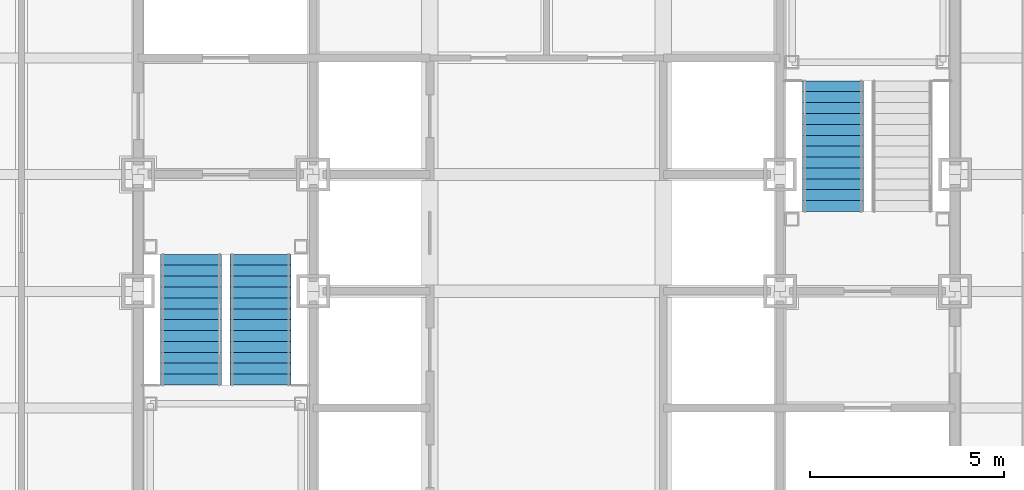
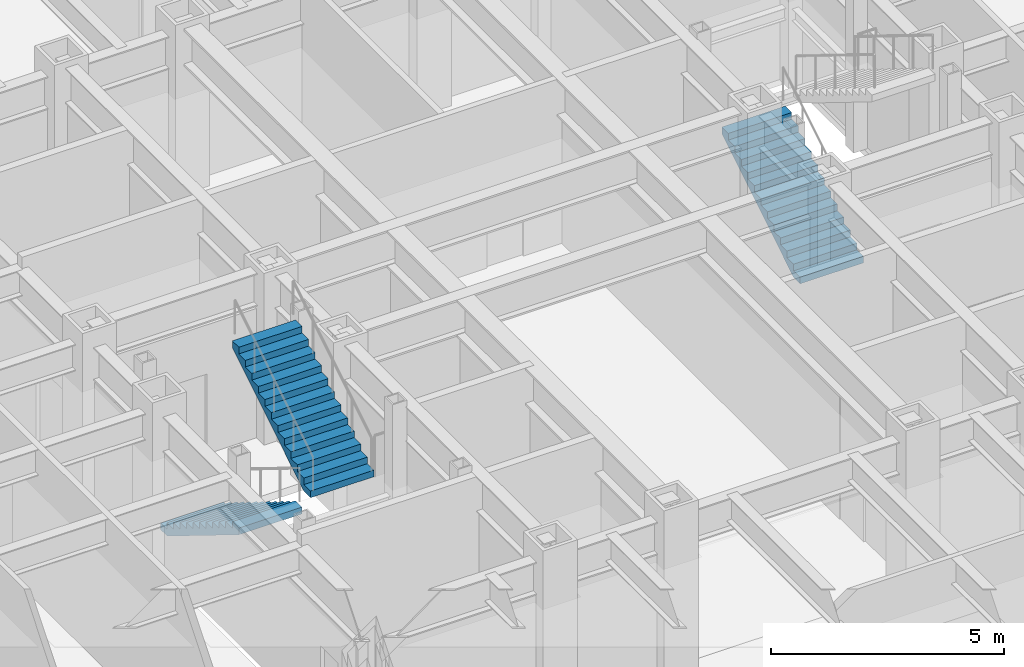
# One storey, part 12 of 17: 3 stair flights, 2 elements without a shape of their own.
"""IFC4 building model written with IfcOpenShell, lengths in metres."""

from ifc_helpers import new_model, si_unit, direction, frame, origin, place, context, subcontext, project, spatial, faceted_brep, material, type_object, element, aggregate, save


model = new_model("IFC4")

# Units and contexts
model_context = context("Model", 3, precision=1e-05, world=origin(), true_north=direction((0.0, 1.0)))
body_context = subcontext(model_context, "Body", "Model", "MODEL_VIEW")
ifc_project = project(units=[si_unit("LENGTHUNIT", "METRE"), si_unit("AREAUNIT", "SQUARE_METRE"), si_unit("VOLUMEUNIT", "CUBIC_METRE"), si_unit("PLANEANGLEUNIT", "RADIAN"), si_unit("MASSUNIT", "GRAM", prefix="KILO")], contexts=[model_context])

# Site, building, storey
site_placement = place(None, origin())
site = spatial("IfcSite", under=ifc_project, at=site_placement, CompositionType="ELEMENT")
building_placement = place(site_placement, origin())
building = spatial("IfcBuilding", under=site, at=building_placement, Name="Chuquiago Exchange Tower", CompositionType="ELEMENT")
storey_placement = place(building_placement, frame((0.0, 0.0, 87.300048828125)))
storey = spatial("IfcBuildingStorey", under=building, at=storey_placement, Name="L18", CompositionType="ELEMENT", Elevation=87.300048828125)

# Stair, stair flights
ifc_material_1 = material(Name="Concrete C30/37, precast", Category="concrete")
stair_type_1 = type_object("IfcStairType", Name="ST1 half-turn stair 4500", PredefinedType="HALF_TURN_STAIR", material=ifc_material_1)
stair_1_placement = place(storey_placement, origin())
stair_1 = element("IfcStair", 1, at=stair_1_placement, inside=storey, type_object=stair_type_1, Name="Stair ST1 L18", PredefinedType="HALF_TURN_STAIR")
ifc_material_2 = material(Name="Concrete C30/37, precast", Category="concrete")
stair_flight_type = type_object("IfcStairFlightType", Name="ST-F flight 1570 for 4500 storey", PredefinedType="STRAIGHT", material=ifc_material_2)
stair_flight_1_placement = place(storey_placement, frame((13.360107421875, 21.949951171875, 0.0), z_axis=(0.0, 0.0, 1.0), x_axis=(0.0, -1.0, 0.0)))
stair_flight_1 = element("IfcStairFlight", 2, at=stair_flight_1_placement, type_object=stair_flight_type, Name="ST1 flight 1", NumberOfRisers=13, NumberOfTreads=12, PredefinedType="STRAIGHT", RiserHeight=0.173076923, TreadLength=0.28, context=body_context, shape_type="Brep", body=[
    faceted_brep([(0.0, 0.78515625, 0.0), (0.0, 0.78515625, 0.173095703125), (0.280029296875, 0.78515625, 0.173095703125), (0.280029296875, 0.78515625, 0.34619140625), (0.56005859375, 0.78515625, 0.34619140625), (0.56005859375, 0.78515625, 0.519287109375), (0.840087890625, 0.78515625, 0.519287109375), (0.840087890625, 0.78515625, 0.6923828125), (1.1201171875, 0.78515625, 0.6923828125), (1.1201171875, 0.78515625, 0.865478515625), (1.39990234375, 0.78515625, 0.865478515625), (1.39990234375, 0.78515625, 1.03857421875), (1.679931640625, 0.78515625, 1.03857421875), (1.679931640625, 0.78515625, 1.21142578125), (1.9599609375, 0.78515625, 1.21142578125), (1.9599609375, 0.78515625, 1.384521484375), (2.239990234375, 0.78515625, 1.384521484375), (2.239990234375, 0.78515625, 1.5576171875), (2.52001953125, 0.78515625, 1.5576171875), (2.52001953125, 0.78515625, 1.730712890625), (2.800048828125, 0.78515625, 1.730712890625), (2.800048828125, 0.78515625, 1.90380859375), (3.080078125, 0.78515625, 1.90380859375), (3.080078125, 0.78515625, 2.076904296875), (3.360107421875, 0.78515625, 2.076904296875), (3.360107421875, 0.78515625, 1.900634765625), (0.28515625, 0.78515625, 0.0), (0.28515625, -0.78515625, 0.0), (3.360107421875, -0.78515625, 1.900634765625), (3.360107421875, -0.78515625, 2.076904296875), (3.080078125, -0.78515625, 2.076904296875), (3.080078125, -0.78515625, 1.90380859375), (2.800048828125, -0.78515625, 1.90380859375), (2.800048828125, -0.78515625, 1.730712890625), (2.52001953125, -0.78515625, 1.730712890625), (2.52001953125, -0.78515625, 1.5576171875), (2.239990234375, -0.78515625, 1.5576171875), (2.239990234375, -0.78515625, 1.384521484375), (1.9599609375, -0.78515625, 1.384521484375), (1.9599609375, -0.78515625, 1.21142578125), (1.679931640625, -0.78515625, 1.21142578125), (1.679931640625, -0.78515625, 1.03857421875), (1.39990234375, -0.78515625, 1.03857421875), (1.39990234375, -0.78515625, 0.865478515625), (1.1201171875, -0.78515625, 0.865478515625), (1.1201171875, -0.78515625, 0.6923828125), (0.840087890625, -0.78515625, 0.6923828125), (0.840087890625, -0.78515625, 0.519287109375), (0.56005859375, -0.78515625, 0.519287109375), (0.56005859375, -0.78515625, 0.34619140625), (0.280029296875, -0.78515625, 0.34619140625), (0.280029296875, -0.78515625, 0.173095703125), (0.0, -0.78515625, 0.173095703125), (0.0, -0.78515625, 0.0), (0.0, 0.392578125, 0.0), (0.0, 0.392578125, 0.173095703125), (0.0, 0.0, 0.0), (0.0, 0.0, 0.173095703125), (0.0, -0.392578125, 0.0), (0.0, -0.392578125, 0.173095703125), (0.280029296875, 0.392578125, 0.173095703125), (0.280029296875, 0.0, 0.173095703125), (0.280029296875, -0.392578125, 0.173095703125), (0.280029296875, 0.392578125, 0.34619140625), (0.280029296875, 0.0, 0.34619140625), (0.280029296875, -0.392578125, 0.34619140625), (0.56005859375, 0.392578125, 0.34619140625), (0.56005859375, 0.0, 0.34619140625), (0.56005859375, -0.392578125, 0.34619140625), (0.56005859375, 0.392578125, 0.519287109375), (0.56005859375, 0.0, 0.519287109375), (0.56005859375, -0.392578125, 0.519287109375), (0.840087890625, 0.392578125, 0.519287109375), (0.840087890625, 0.0, 0.519287109375), (0.840087890625, -0.392578125, 0.519287109375), (0.840087890625, 0.392578125, 0.6923828125), (0.840087890625, 0.0, 0.6923828125), (0.840087890625, -0.392578125, 0.6923828125), (1.1201171875, 0.392578125, 0.6923828125), (1.1201171875, 0.0, 0.6923828125), (1.1201171875, -0.392578125, 0.6923828125), (1.1201171875, 0.392578125, 0.865478515625), (1.1201171875, 0.0, 0.865478515625), (1.1201171875, -0.392578125, 0.865478515625), (1.39990234375, 0.392578125, 0.865478515625), (1.39990234375, 0.0, 0.865478515625), (1.39990234375, -0.392578125, 0.865478515625), (1.39990234375, 0.392578125, 1.03857421875), (1.39990234375, 0.0, 1.03857421875), (1.39990234375, -0.392578125, 1.03857421875), (1.679931640625, 0.392578125, 1.03857421875), (1.679931640625, 0.0, 1.03857421875), (1.679931640625, -0.392578125, 1.03857421875), (1.679931640625, 0.392578125, 1.21142578125), (1.679931640625, 0.0, 1.21142578125), (1.679931640625, -0.392578125, 1.21142578125), (1.9599609375, 0.392578125, 1.21142578125), (1.9599609375, 0.0, 1.21142578125), (1.9599609375, -0.392578125, 1.21142578125), (1.9599609375, 0.392578125, 1.384521484375), (1.9599609375, 0.0, 1.384521484375), (1.9599609375, -0.392578125, 1.384521484375), (2.239990234375, 0.392578125, 1.384521484375), (2.239990234375, 0.0, 1.384521484375), (2.239990234375, -0.392578125, 1.384521484375), (2.239990234375, 0.392578125, 1.5576171875), (2.239990234375, 0.0, 1.5576171875), (2.239990234375, -0.392578125, 1.5576171875), (2.52001953125, 0.392578125, 1.5576171875), (2.52001953125, 0.0, 1.5576171875), (2.52001953125, -0.392578125, 1.5576171875), (2.52001953125, 0.392578125, 1.730712890625), (2.52001953125, 0.0, 1.730712890625), (2.52001953125, -0.392578125, 1.730712890625), (2.800048828125, 0.392578125, 1.730712890625), (2.800048828125, 0.0, 1.730712890625), (2.800048828125, -0.392578125, 1.730712890625), (2.800048828125, 0.392578125, 1.90380859375), (2.800048828125, 0.0, 1.90380859375), (2.800048828125, -0.392578125, 1.90380859375), (3.080078125, 0.392578125, 1.90380859375), (3.080078125, 0.0, 1.90380859375), (3.080078125, -0.392578125, 1.90380859375), (3.080078125, 0.392578125, 2.076904296875), (3.080078125, 0.0, 2.076904296875), (3.080078125, -0.392578125, 2.076904296875), (3.360107421875, 0.392578125, 2.076904296875), (3.360107421875, 0.0, 2.076904296875), (3.360107421875, -0.392578125, 2.076904296875), (3.360107421875, 0.392578125, 1.900634765625), (3.360107421875, 0.0, 1.900634765625), (3.360107421875, -0.392578125, 1.900634765625), (0.28515625, 0.392578125, 0.0), (0.28515625, 0.0, 0.0), (0.28515625, -0.392578125, 0.0)], [[[0, 1, 2, 3, 4, 5, 6, 7, 8, 9, 10, 11, 12, 13, 14, 15, 16, 17, 18, 19, 20, 21, 22, 23, 24, 25, 26]], [[27, 28, 29, 30, 31, 32, 33, 34, 35, 36, 37, 38, 39, 40, 41, 42, 43, 44, 45, 46, 47, 48, 49, 50, 51, 52, 53]], [[1, 0, 54, 55]], [[55, 54, 56, 57]], [[57, 56, 58, 59]], [[59, 58, 53, 52]], [[2, 1, 55, 60]], [[60, 55, 57, 61]], [[61, 57, 59, 62]], [[62, 59, 52, 51]], [[3, 2, 60, 63]], [[63, 60, 61, 64]], [[64, 61, 62, 65]], [[65, 62, 51, 50]], [[4, 3, 63, 66]], [[66, 63, 64, 67]], [[67, 64, 65, 68]], [[68, 65, 50, 49]], [[5, 4, 66, 69]], [[69, 66, 67, 70]], [[70, 67, 68, 71]], [[71, 68, 49, 48]], [[6, 5, 69, 72]], [[72, 69, 70, 73]], [[73, 70, 71, 74]], [[74, 71, 48, 47]], [[7, 6, 72, 75]], [[75, 72, 73, 76]], [[76, 73, 74, 77]], [[77, 74, 47, 46]], [[8, 7, 75, 78]], [[78, 75, 76, 79]], [[79, 76, 77, 80]], [[80, 77, 46, 45]], [[9, 8, 78, 81]], [[81, 78, 79, 82]], [[82, 79, 80, 83]], [[83, 80, 45, 44]], [[10, 9, 81, 84]], [[84, 81, 82, 85]], [[85, 82, 83, 86]], [[86, 83, 44, 43]], [[11, 10, 84, 87]], [[87, 84, 85, 88]], [[88, 85, 86, 89]], [[89, 86, 43, 42]], [[12, 11, 87, 90]], [[90, 87, 88, 91]], [[91, 88, 89, 92]], [[92, 89, 42, 41]], [[13, 12, 90, 93]], [[93, 90, 91, 94]], [[94, 91, 92, 95]], [[95, 92, 41, 40]], [[14, 13, 93, 96]], [[96, 93, 94, 97]], [[97, 94, 95, 98]], [[98, 95, 40, 39]], [[15, 14, 96, 99]], [[99, 96, 97, 100]], [[100, 97, 98, 101]], [[101, 98, 39, 38]], [[16, 15, 99, 102]], [[102, 99, 100, 103]], [[103, 100, 101, 104]], [[104, 101, 38, 37]], [[17, 16, 102, 105]], [[105, 102, 103, 106]], [[106, 103, 104, 107]], [[107, 104, 37, 36]], [[18, 17, 105, 108]], [[108, 105, 106, 109]], [[109, 106, 107, 110]], [[110, 107, 36, 35]], [[19, 18, 108, 111]], [[111, 108, 109, 112]], [[112, 109, 110, 113]], [[113, 110, 35, 34]], [[20, 19, 111, 114]], [[114, 111, 112, 115]], [[115, 112, 113, 116]], [[116, 113, 34, 33]], [[21, 20, 114, 117]], [[117, 114, 115, 118]], [[118, 115, 116, 119]], [[119, 116, 33, 32]], [[22, 21, 117, 120]], [[120, 117, 118, 121]], [[121, 118, 119, 122]], [[122, 119, 32, 31]], [[23, 22, 120, 123]], [[123, 120, 121, 124]], [[124, 121, 122, 125]], [[125, 122, 31, 30]], [[24, 23, 123, 126]], [[126, 123, 124, 127]], [[127, 124, 125, 128]], [[128, 125, 30, 29]], [[25, 24, 126, 129]], [[129, 126, 127, 130]], [[130, 127, 128, 131]], [[131, 128, 29, 28]], [[26, 25, 129, 132]], [[132, 129, 130, 133]], [[133, 130, 131, 134]], [[134, 131, 28, 27]], [[0, 26, 132, 54]], [[54, 132, 133, 56]], [[56, 133, 134, 58]], [[58, 134, 27, 53]]]),
])
stair_flight_2_placement = place(storey_placement, frame((15.139892578125, 18.590087890625, 2.25), z_axis=(0.0, 0.0, 1.0), x_axis=(0.0, 1.0, 0.0)))
stair_flight_2 = element("IfcStairFlight", 3, at=stair_flight_2_placement, type_object=stair_flight_type, Name="ST1 flight 2", NumberOfRisers=13, NumberOfTreads=12, PredefinedType="STRAIGHT", RiserHeight=0.173076923, TreadLength=0.28, context=body_context, shape_type="Brep", body=[
    faceted_brep([(0.0, 0.78515625, 0.0), (0.0, 0.78515625, 0.173095703125), (0.280029296875, 0.78515625, 0.173095703125), (0.280029296875, 0.78515625, 0.34619140625), (0.56005859375, 0.78515625, 0.34619140625), (0.56005859375, 0.78515625, 0.519287109375), (0.840087890625, 0.78515625, 0.519287109375), (0.840087890625, 0.78515625, 0.6923828125), (1.1201171875, 0.78515625, 0.6923828125), (1.1201171875, 0.78515625, 0.865478515625), (1.39990234375, 0.78515625, 0.865478515625), (1.39990234375, 0.78515625, 1.03857421875), (1.679931640625, 0.78515625, 1.03857421875), (1.679931640625, 0.78515625, 1.21142578125), (1.9599609375, 0.78515625, 1.21142578125), (1.9599609375, 0.78515625, 1.384521484375), (2.239990234375, 0.78515625, 1.384521484375), (2.239990234375, 0.78515625, 1.5576171875), (2.52001953125, 0.78515625, 1.5576171875), (2.52001953125, 0.78515625, 1.730712890625), (2.800048828125, 0.78515625, 1.730712890625), (2.800048828125, 0.78515625, 1.90380859375), (3.080078125, 0.78515625, 1.90380859375), (3.080078125, 0.78515625, 2.076904296875), (3.360107421875, 0.78515625, 2.076904296875), (3.360107421875, 0.78515625, 1.900634765625), (0.28515625, 0.78515625, 0.0), (0.28515625, -0.78515625, 0.0), (3.360107421875, -0.78515625, 1.900634765625), (3.360107421875, -0.78515625, 2.076904296875), (3.080078125, -0.78515625, 2.076904296875), (3.080078125, -0.78515625, 1.90380859375), (2.800048828125, -0.78515625, 1.90380859375), (2.800048828125, -0.78515625, 1.730712890625), (2.52001953125, -0.78515625, 1.730712890625), (2.52001953125, -0.78515625, 1.5576171875), (2.239990234375, -0.78515625, 1.5576171875), (2.239990234375, -0.78515625, 1.384521484375), (1.9599609375, -0.78515625, 1.384521484375), (1.9599609375, -0.78515625, 1.21142578125), (1.679931640625, -0.78515625, 1.21142578125), (1.679931640625, -0.78515625, 1.03857421875), (1.39990234375, -0.78515625, 1.03857421875), (1.39990234375, -0.78515625, 0.865478515625), (1.1201171875, -0.78515625, 0.865478515625), (1.1201171875, -0.78515625, 0.6923828125), (0.840087890625, -0.78515625, 0.6923828125), (0.840087890625, -0.78515625, 0.519287109375), (0.56005859375, -0.78515625, 0.519287109375), (0.56005859375, -0.78515625, 0.34619140625), (0.280029296875, -0.78515625, 0.34619140625), (0.280029296875, -0.78515625, 0.173095703125), (0.0, -0.78515625, 0.173095703125), (0.0, -0.78515625, 0.0), (0.0, 0.392578125, 0.0), (0.0, 0.392578125, 0.173095703125), (0.0, 0.0, 0.0), (0.0, 0.0, 0.173095703125), (0.0, -0.392578125, 0.0), (0.0, -0.392578125, 0.173095703125), (0.280029296875, 0.392578125, 0.173095703125), (0.280029296875, 0.0, 0.173095703125), (0.280029296875, -0.392578125, 0.173095703125), (0.280029296875, 0.392578125, 0.34619140625), (0.280029296875, 0.0, 0.34619140625), (0.280029296875, -0.392578125, 0.34619140625), (0.56005859375, 0.392578125, 0.34619140625), (0.56005859375, 0.0, 0.34619140625), (0.56005859375, -0.392578125, 0.34619140625), (0.56005859375, 0.392578125, 0.519287109375), (0.56005859375, 0.0, 0.519287109375), (0.56005859375, -0.392578125, 0.519287109375), (0.840087890625, 0.392578125, 0.519287109375), (0.840087890625, 0.0, 0.519287109375), (0.840087890625, -0.392578125, 0.519287109375), (0.840087890625, 0.392578125, 0.6923828125), (0.840087890625, 0.0, 0.6923828125), (0.840087890625, -0.392578125, 0.6923828125), (1.1201171875, 0.392578125, 0.6923828125), (1.1201171875, 0.0, 0.6923828125), (1.1201171875, -0.392578125, 0.6923828125), (1.1201171875, 0.392578125, 0.865478515625), (1.1201171875, 0.0, 0.865478515625), (1.1201171875, -0.392578125, 0.865478515625), (1.39990234375, 0.392578125, 0.865478515625), (1.39990234375, 0.0, 0.865478515625), (1.39990234375, -0.392578125, 0.865478515625), (1.39990234375, 0.392578125, 1.03857421875), (1.39990234375, 0.0, 1.03857421875), (1.39990234375, -0.392578125, 1.03857421875), (1.679931640625, 0.392578125, 1.03857421875), (1.679931640625, 0.0, 1.03857421875), (1.679931640625, -0.392578125, 1.03857421875), (1.679931640625, 0.392578125, 1.21142578125), (1.679931640625, 0.0, 1.21142578125), (1.679931640625, -0.392578125, 1.21142578125), (1.9599609375, 0.392578125, 1.21142578125), (1.9599609375, 0.0, 1.21142578125), (1.9599609375, -0.392578125, 1.21142578125), (1.9599609375, 0.392578125, 1.384521484375), (1.9599609375, 0.0, 1.384521484375), (1.9599609375, -0.392578125, 1.384521484375), (2.239990234375, 0.392578125, 1.384521484375), (2.239990234375, 0.0, 1.384521484375), (2.239990234375, -0.392578125, 1.384521484375), (2.239990234375, 0.392578125, 1.5576171875), (2.239990234375, 0.0, 1.5576171875), (2.239990234375, -0.392578125, 1.5576171875), (2.52001953125, 0.392578125, 1.5576171875), (2.52001953125, 0.0, 1.5576171875), (2.52001953125, -0.392578125, 1.5576171875), (2.52001953125, 0.392578125, 1.730712890625), (2.52001953125, 0.0, 1.730712890625), (2.52001953125, -0.392578125, 1.730712890625), (2.800048828125, 0.392578125, 1.730712890625), (2.800048828125, 0.0, 1.730712890625), (2.800048828125, -0.392578125, 1.730712890625), (2.800048828125, 0.392578125, 1.90380859375), (2.800048828125, 0.0, 1.90380859375), (2.800048828125, -0.392578125, 1.90380859375), (3.080078125, 0.392578125, 1.90380859375), (3.080078125, 0.0, 1.90380859375), (3.080078125, -0.392578125, 1.90380859375), (3.080078125, 0.392578125, 2.076904296875), (3.080078125, 0.0, 2.076904296875), (3.080078125, -0.392578125, 2.076904296875), (3.360107421875, 0.392578125, 2.076904296875), (3.360107421875, 0.0, 2.076904296875), (3.360107421875, -0.392578125, 2.076904296875), (3.360107421875, 0.392578125, 1.900634765625), (3.360107421875, 0.0, 1.900634765625), (3.360107421875, -0.392578125, 1.900634765625), (0.28515625, 0.392578125, 0.0), (0.28515625, 0.0, 0.0), (0.28515625, -0.392578125, 0.0)], [[[0, 1, 2, 3, 4, 5, 6, 7, 8, 9, 10, 11, 12, 13, 14, 15, 16, 17, 18, 19, 20, 21, 22, 23, 24, 25, 26]], [[27, 28, 29, 30, 31, 32, 33, 34, 35, 36, 37, 38, 39, 40, 41, 42, 43, 44, 45, 46, 47, 48, 49, 50, 51, 52, 53]], [[1, 0, 54, 55]], [[55, 54, 56, 57]], [[57, 56, 58, 59]], [[59, 58, 53, 52]], [[2, 1, 55, 60]], [[60, 55, 57, 61]], [[61, 57, 59, 62]], [[62, 59, 52, 51]], [[3, 2, 60, 63]], [[63, 60, 61, 64]], [[64, 61, 62, 65]], [[65, 62, 51, 50]], [[4, 3, 63, 66]], [[66, 63, 64, 67]], [[67, 64, 65, 68]], [[68, 65, 50, 49]], [[5, 4, 66, 69]], [[69, 66, 67, 70]], [[70, 67, 68, 71]], [[71, 68, 49, 48]], [[6, 5, 69, 72]], [[72, 69, 70, 73]], [[73, 70, 71, 74]], [[74, 71, 48, 47]], [[7, 6, 72, 75]], [[75, 72, 73, 76]], [[76, 73, 74, 77]], [[77, 74, 47, 46]], [[8, 7, 75, 78]], [[78, 75, 76, 79]], [[79, 76, 77, 80]], [[80, 77, 46, 45]], [[9, 8, 78, 81]], [[81, 78, 79, 82]], [[82, 79, 80, 83]], [[83, 80, 45, 44]], [[10, 9, 81, 84]], [[84, 81, 82, 85]], [[85, 82, 83, 86]], [[86, 83, 44, 43]], [[11, 10, 84, 87]], [[87, 84, 85, 88]], [[88, 85, 86, 89]], [[89, 86, 43, 42]], [[12, 11, 87, 90]], [[90, 87, 88, 91]], [[91, 88, 89, 92]], [[92, 89, 42, 41]], [[13, 12, 90, 93]], [[93, 90, 91, 94]], [[94, 91, 92, 95]], [[95, 92, 41, 40]], [[14, 13, 93, 96]], [[96, 93, 94, 97]], [[97, 94, 95, 98]], [[98, 95, 40, 39]], [[15, 14, 96, 99]], [[99, 96, 97, 100]], [[100, 97, 98, 101]], [[101, 98, 39, 38]], [[16, 15, 99, 102]], [[102, 99, 100, 103]], [[103, 100, 101, 104]], [[104, 101, 38, 37]], [[17, 16, 102, 105]], [[105, 102, 103, 106]], [[106, 103, 104, 107]], [[107, 104, 37, 36]], [[18, 17, 105, 108]], [[108, 105, 106, 109]], [[109, 106, 107, 110]], [[110, 107, 36, 35]], [[19, 18, 108, 111]], [[111, 108, 109, 112]], [[112, 109, 110, 113]], [[113, 110, 35, 34]], [[20, 19, 111, 114]], [[114, 111, 112, 115]], [[115, 112, 113, 116]], [[116, 113, 34, 33]], [[21, 20, 114, 117]], [[117, 114, 115, 118]], [[118, 115, 116, 119]], [[119, 116, 33, 32]], [[22, 21, 117, 120]], [[120, 117, 118, 121]], [[121, 118, 119, 122]], [[122, 119, 32, 31]], [[23, 22, 120, 123]], [[123, 120, 121, 124]], [[124, 121, 122, 125]], [[125, 122, 31, 30]], [[24, 23, 123, 126]], [[126, 123, 124, 127]], [[127, 124, 125, 128]], [[128, 125, 30, 29]], [[25, 24, 126, 129]], [[129, 126, 127, 130]], [[130, 127, 128, 131]], [[131, 128, 29, 28]], [[26, 25, 129, 132]], [[132, 129, 130, 133]], [[133, 130, 131, 134]], [[134, 131, 28, 27]], [[0, 26, 132, 54]], [[54, 132, 133, 56]], [[56, 133, 134, 58]], [[58, 134, 27, 53]]]),
])
aggregate(stair_1, [stair_flight_1, stair_flight_2])

# Stair, stair flight
ifc_material_3 = material(Name="Concrete C30/37, precast", Category="concrete")
stair_type_2 = type_object("IfcStairType", Name="ST2 half-turn stair 4500", PredefinedType="HALF_TURN_STAIR", material=ifc_material_3)
stair_2_placement = place(storey_placement, origin())
stair_2 = element("IfcStair", 4, at=stair_2_placement, inside=storey, type_object=stair_type_2, Name="Stair ST2 L18", PredefinedType="HALF_TURN_STAIR")
stair_flight_3_placement = place(storey_placement, frame((29.860107421875, 23.050048828125, 0.0), z_axis=(0.0, 0.0, 1.0), x_axis=(0.0, 1.0, 0.0)))
stair_flight_3 = element("IfcStairFlight", 5, at=stair_flight_3_placement, type_object=stair_flight_type, Name="ST2 flight 1", NumberOfRisers=13, NumberOfTreads=12, PredefinedType="STRAIGHT", RiserHeight=0.173076923, TreadLength=0.28, context=body_context, shape_type="Brep", body=[
    faceted_brep([(0.0, 0.78515625, 0.0), (0.0, 0.78515625, 0.173095703125), (0.280029296875, 0.78515625, 0.173095703125), (0.280029296875, 0.78515625, 0.34619140625), (0.56005859375, 0.78515625, 0.34619140625), (0.56005859375, 0.78515625, 0.519287109375), (0.840087890625, 0.78515625, 0.519287109375), (0.840087890625, 0.78515625, 0.6923828125), (1.1201171875, 0.78515625, 0.6923828125), (1.1201171875, 0.78515625, 0.865478515625), (1.39990234375, 0.78515625, 0.865478515625), (1.39990234375, 0.78515625, 1.03857421875), (1.679931640625, 0.78515625, 1.03857421875), (1.679931640625, 0.78515625, 1.21142578125), (1.9599609375, 0.78515625, 1.21142578125), (1.9599609375, 0.78515625, 1.384521484375), (2.239990234375, 0.78515625, 1.384521484375), (2.239990234375, 0.78515625, 1.5576171875), (2.52001953125, 0.78515625, 1.5576171875), (2.52001953125, 0.78515625, 1.730712890625), (2.800048828125, 0.78515625, 1.730712890625), (2.800048828125, 0.78515625, 1.90380859375), (3.080078125, 0.78515625, 1.90380859375), (3.080078125, 0.78515625, 2.076904296875), (3.360107421875, 0.78515625, 2.076904296875), (3.360107421875, 0.78515625, 1.900634765625), (0.28515625, 0.78515625, 0.0), (0.28515625, -0.78515625, 0.0), (3.360107421875, -0.78515625, 1.900634765625), (3.360107421875, -0.78515625, 2.076904296875), (3.080078125, -0.78515625, 2.076904296875), (3.080078125, -0.78515625, 1.90380859375), (2.800048828125, -0.78515625, 1.90380859375), (2.800048828125, -0.78515625, 1.730712890625), (2.52001953125, -0.78515625, 1.730712890625), (2.52001953125, -0.78515625, 1.5576171875), (2.239990234375, -0.78515625, 1.5576171875), (2.239990234375, -0.78515625, 1.384521484375), (1.9599609375, -0.78515625, 1.384521484375), (1.9599609375, -0.78515625, 1.21142578125), (1.679931640625, -0.78515625, 1.21142578125), (1.679931640625, -0.78515625, 1.03857421875), (1.39990234375, -0.78515625, 1.03857421875), (1.39990234375, -0.78515625, 0.865478515625), (1.1201171875, -0.78515625, 0.865478515625), (1.1201171875, -0.78515625, 0.6923828125), (0.840087890625, -0.78515625, 0.6923828125), (0.840087890625, -0.78515625, 0.519287109375), (0.56005859375, -0.78515625, 0.519287109375), (0.56005859375, -0.78515625, 0.34619140625), (0.280029296875, -0.78515625, 0.34619140625), (0.280029296875, -0.78515625, 0.173095703125), (0.0, -0.78515625, 0.173095703125), (0.0, -0.78515625, 0.0), (0.0, 0.392578125, 0.0), (0.0, 0.392578125, 0.173095703125), (0.0, 0.0, 0.0), (0.0, 0.0, 0.173095703125), (0.0, -0.392578125, 0.0), (0.0, -0.392578125, 0.173095703125), (0.280029296875, 0.392578125, 0.173095703125), (0.280029296875, 0.0, 0.173095703125), (0.280029296875, -0.392578125, 0.173095703125), (0.280029296875, 0.392578125, 0.34619140625), (0.280029296875, 0.0, 0.34619140625), (0.280029296875, -0.392578125, 0.34619140625), (0.56005859375, 0.392578125, 0.34619140625), (0.56005859375, 0.0, 0.34619140625), (0.56005859375, -0.392578125, 0.34619140625), (0.56005859375, 0.392578125, 0.519287109375), (0.56005859375, 0.0, 0.519287109375), (0.56005859375, -0.392578125, 0.519287109375), (0.840087890625, 0.392578125, 0.519287109375), (0.840087890625, 0.0, 0.519287109375), (0.840087890625, -0.392578125, 0.519287109375), (0.840087890625, 0.392578125, 0.6923828125), (0.840087890625, 0.0, 0.6923828125), (0.840087890625, -0.392578125, 0.6923828125), (1.1201171875, 0.392578125, 0.6923828125), (1.1201171875, 0.0, 0.6923828125), (1.1201171875, -0.392578125, 0.6923828125), (1.1201171875, 0.392578125, 0.865478515625), (1.1201171875, 0.0, 0.865478515625), (1.1201171875, -0.392578125, 0.865478515625), (1.39990234375, 0.392578125, 0.865478515625), (1.39990234375, 0.0, 0.865478515625), (1.39990234375, -0.392578125, 0.865478515625), (1.39990234375, 0.392578125, 1.03857421875), (1.39990234375, 0.0, 1.03857421875), (1.39990234375, -0.392578125, 1.03857421875), (1.679931640625, 0.392578125, 1.03857421875), (1.679931640625, 0.0, 1.03857421875), (1.679931640625, -0.392578125, 1.03857421875), (1.679931640625, 0.392578125, 1.21142578125), (1.679931640625, 0.0, 1.21142578125), (1.679931640625, -0.392578125, 1.21142578125), (1.9599609375, 0.392578125, 1.21142578125), (1.9599609375, 0.0, 1.21142578125), (1.9599609375, -0.392578125, 1.21142578125), (1.9599609375, 0.392578125, 1.384521484375), (1.9599609375, 0.0, 1.384521484375), (1.9599609375, -0.392578125, 1.384521484375), (2.239990234375, 0.392578125, 1.384521484375), (2.239990234375, 0.0, 1.384521484375), (2.239990234375, -0.392578125, 1.384521484375), (2.239990234375, 0.392578125, 1.5576171875), (2.239990234375, 0.0, 1.5576171875), (2.239990234375, -0.392578125, 1.5576171875), (2.52001953125, 0.392578125, 1.5576171875), (2.52001953125, 0.0, 1.5576171875), (2.52001953125, -0.392578125, 1.5576171875), (2.52001953125, 0.392578125, 1.730712890625), (2.52001953125, 0.0, 1.730712890625), (2.52001953125, -0.392578125, 1.730712890625), (2.800048828125, 0.392578125, 1.730712890625), (2.800048828125, 0.0, 1.730712890625), (2.800048828125, -0.392578125, 1.730712890625), (2.800048828125, 0.392578125, 1.90380859375), (2.800048828125, 0.0, 1.90380859375), (2.800048828125, -0.392578125, 1.90380859375), (3.080078125, 0.392578125, 1.90380859375), (3.080078125, 0.0, 1.90380859375), (3.080078125, -0.392578125, 1.90380859375), (3.080078125, 0.392578125, 2.076904296875), (3.080078125, 0.0, 2.076904296875), (3.080078125, -0.392578125, 2.076904296875), (3.360107421875, 0.392578125, 2.076904296875), (3.360107421875, 0.0, 2.076904296875), (3.360107421875, -0.392578125, 2.076904296875), (3.360107421875, 0.392578125, 1.900634765625), (3.360107421875, 0.0, 1.900634765625), (3.360107421875, -0.392578125, 1.900634765625), (0.28515625, 0.392578125, 0.0), (0.28515625, 0.0, 0.0), (0.28515625, -0.392578125, 0.0)], [[[0, 1, 2, 3, 4, 5, 6, 7, 8, 9, 10, 11, 12, 13, 14, 15, 16, 17, 18, 19, 20, 21, 22, 23, 24, 25, 26]], [[27, 28, 29, 30, 31, 32, 33, 34, 35, 36, 37, 38, 39, 40, 41, 42, 43, 44, 45, 46, 47, 48, 49, 50, 51, 52, 53]], [[1, 0, 54, 55]], [[55, 54, 56, 57]], [[57, 56, 58, 59]], [[59, 58, 53, 52]], [[2, 1, 55, 60]], [[60, 55, 57, 61]], [[61, 57, 59, 62]], [[62, 59, 52, 51]], [[3, 2, 60, 63]], [[63, 60, 61, 64]], [[64, 61, 62, 65]], [[65, 62, 51, 50]], [[4, 3, 63, 66]], [[66, 63, 64, 67]], [[67, 64, 65, 68]], [[68, 65, 50, 49]], [[5, 4, 66, 69]], [[69, 66, 67, 70]], [[70, 67, 68, 71]], [[71, 68, 49, 48]], [[6, 5, 69, 72]], [[72, 69, 70, 73]], [[73, 70, 71, 74]], [[74, 71, 48, 47]], [[7, 6, 72, 75]], [[75, 72, 73, 76]], [[76, 73, 74, 77]], [[77, 74, 47, 46]], [[8, 7, 75, 78]], [[78, 75, 76, 79]], [[79, 76, 77, 80]], [[80, 77, 46, 45]], [[9, 8, 78, 81]], [[81, 78, 79, 82]], [[82, 79, 80, 83]], [[83, 80, 45, 44]], [[10, 9, 81, 84]], [[84, 81, 82, 85]], [[85, 82, 83, 86]], [[86, 83, 44, 43]], [[11, 10, 84, 87]], [[87, 84, 85, 88]], [[88, 85, 86, 89]], [[89, 86, 43, 42]], [[12, 11, 87, 90]], [[90, 87, 88, 91]], [[91, 88, 89, 92]], [[92, 89, 42, 41]], [[13, 12, 90, 93]], [[93, 90, 91, 94]], [[94, 91, 92, 95]], [[95, 92, 41, 40]], [[14, 13, 93, 96]], [[96, 93, 94, 97]], [[97, 94, 95, 98]], [[98, 95, 40, 39]], [[15, 14, 96, 99]], [[99, 96, 97, 100]], [[100, 97, 98, 101]], [[101, 98, 39, 38]], [[16, 15, 99, 102]], [[102, 99, 100, 103]], [[103, 100, 101, 104]], [[104, 101, 38, 37]], [[17, 16, 102, 105]], [[105, 102, 103, 106]], [[106, 103, 104, 107]], [[107, 104, 37, 36]], [[18, 17, 105, 108]], [[108, 105, 106, 109]], [[109, 106, 107, 110]], [[110, 107, 36, 35]], [[19, 18, 108, 111]], [[111, 108, 109, 112]], [[112, 109, 110, 113]], [[113, 110, 35, 34]], [[20, 19, 111, 114]], [[114, 111, 112, 115]], [[115, 112, 113, 116]], [[116, 113, 34, 33]], [[21, 20, 114, 117]], [[117, 114, 115, 118]], [[118, 115, 116, 119]], [[119, 116, 33, 32]], [[22, 21, 117, 120]], [[120, 117, 118, 121]], [[121, 118, 119, 122]], [[122, 119, 32, 31]], [[23, 22, 120, 123]], [[123, 120, 121, 124]], [[124, 121, 122, 125]], [[125, 122, 31, 30]], [[24, 23, 123, 126]], [[126, 123, 124, 127]], [[127, 124, 125, 128]], [[128, 125, 30, 29]], [[25, 24, 126, 129]], [[129, 126, 127, 130]], [[130, 127, 128, 131]], [[131, 128, 29, 28]], [[26, 25, 129, 132]], [[132, 129, 130, 133]], [[133, 130, 131, 134]], [[134, 131, 28, 27]], [[0, 26, 132, 54]], [[54, 132, 133, 56]], [[56, 133, 134, 58]], [[58, 134, 27, 53]]]),
])
aggregate(stair_2, [stair_flight_3])

save(model, "model.ifc")
